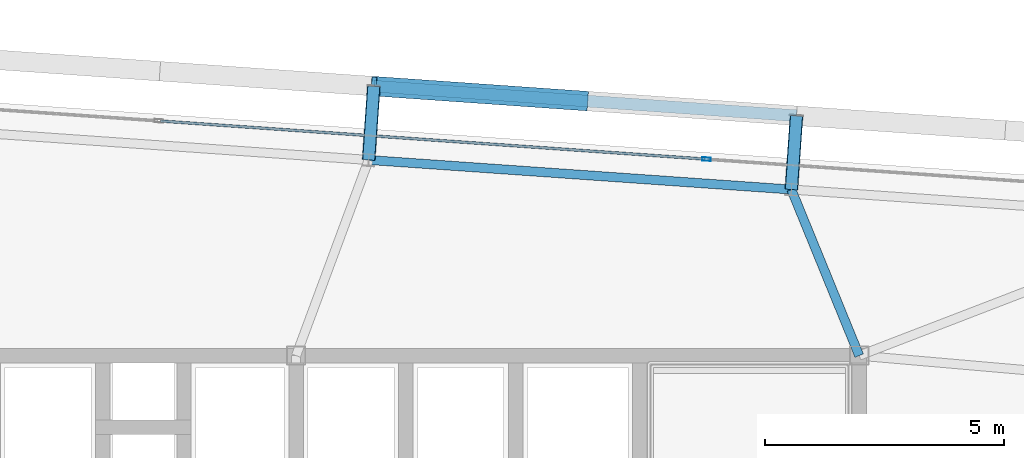
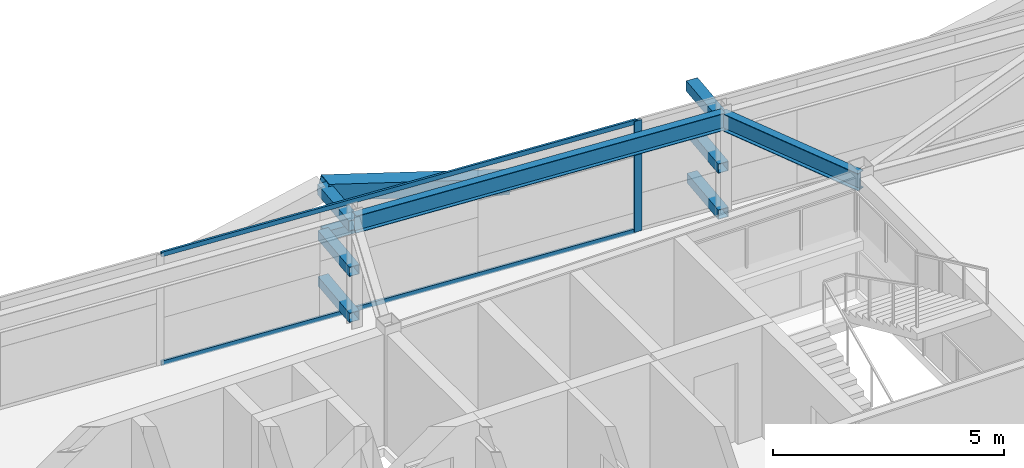
# One storey, part 23 of 39: 11 members, 2 beams, 1 element without a shape of its own.
"""IFC4 building model written with IfcOpenShell, lengths in metres."""

from ifc_helpers import new_model, si_unit, direction, frame, origin, origin_2d, place, context, subcontext, project, spatial, hollow_rectangle, i_section, extrude, source, transform, mapped, material, layer, layer_set, material_profile, profile_set, type_object, element, aggregate, save


model = new_model("IFC4")

# Units and contexts
model_context = context("Model", 3, precision=1e-05, world=origin(), true_north=direction((0.0, 1.0)))
body_context = subcontext(model_context, "Body", "Model", "MODEL_VIEW")
ifc_project = project(units=[si_unit("LENGTHUNIT", "METRE"), si_unit("AREAUNIT", "SQUARE_METRE"), si_unit("VOLUMEUNIT", "CUBIC_METRE"), si_unit("PLANEANGLEUNIT", "RADIAN"), si_unit("MASSUNIT", "GRAM", prefix="KILO")], contexts=[model_context])

# Site, building, storey
site_placement = place(None, origin())
site = spatial("IfcSite", under=ifc_project, at=site_placement, CompositionType="ELEMENT")
building_placement = place(site_placement, origin())
building = spatial("IfcBuilding", under=site, at=building_placement, Name="Taldren Reach Tower", CompositionType="ELEMENT")
storey_placement = place(building_placement, frame((0.0, 0.0, 158.199951171875)))
storey = spatial("IfcBuildingStorey", under=building, at=storey_placement, Name="L48", CompositionType="ELEMENT", Elevation=158.199951171875)

# Members
ifc_material_1 = material(Name="Steel Gr 450 (C450L0)", Category="steel")
ifc_material_profile_1 = material_profile(ifc_material_1, hollow_rectangle(XDim=0.27490234375, YDim=0.27490234375, WallThickness=0.00927734375, at=origin_2d()), Name="275x275x9.3SHS")
ifc_profile_set_1 = profile_set([ifc_material_profile_1], Name="Steel Gr 450 (C450L0)")
member_type_1 = type_object("IfcMemberType", Name="MB-TIE273", PredefinedType="STRUT", material=ifc_profile_set_1)
shared_shape_1 = source(origin(), body_context, "Body", "SweptSolid", [
    extrude(hollow_rectangle(XDim=0.27490234375, YDim=0.27490234375, WallThickness=0.00927734375, at=origin_2d()), origin(), (0.0, 0.0, 1.0), 1.550048828125),
])
for number, where, z_axis, x_axis, name in (
    (1, (40.7197265625, 36.100341796875, 2.650146484375), (0.06976957191, 0.99756313426, 0.0), (-0.99756313426, 0.06976957191, 0.0), "Exoskeleton diaphragm tie strut B3-N4 L48"),
    (2, (49.578125, 35.48095703125, 2.650146484375), (0.06976957191, 0.99756313426, 0.0), (-0.99756313426, 0.06976957191, 0.0), "Exoskeleton diaphragm tie strut B3-N5 L48"),
):
    element("IfcMember", number, at=place(storey_placement, frame(where, z_axis=z_axis, x_axis=x_axis)), inside=storey, type_object=member_type_1, Name=name, PredefinedType="STRUT", context=body_context, shape_type="MappedRepresentation", body=[
        mapped(shared_shape_1, transform((0.0, 0.0, 0.0), scale=1.0)),
    ])
ifc_material_2 = material(Name="Steel Gr 350 (C350L0)", Category="steel")
ifc_material_profile_2 = material_profile(ifc_material_2, hollow_rectangle(XDim=0.25, YDim=0.25, WallThickness=0.010009765625, at=origin_2d()), Name="250x250x10.0SHS")
ifc_profile_set_2 = profile_set([ifc_material_profile_2], Name="Steel Gr 350 (C350L0)")
member_type_2 = type_object("IfcMemberType", Name="MB-POST250", PredefinedType="POST", material=ifc_profile_set_2)
shared_shape_2 = source(origin(), body_context, "Body", "SweptSolid", [
    extrude(hollow_rectangle(XDim=0.25, YDim=0.25, WallThickness=0.010009765625, at=origin_2d()), origin(), (0.0, 0.0, 1.0), 1.550048828125),
])
for number, where, z_axis, x_axis, name in (
    (3, (40.7197265625, 36.100341796875, 0.219970703125), (0.06976957191, 0.99756313426, 0.0), (-0.99756313426, 0.06976957191, 0.0), "Exoskeleton base diaphragm tie strut B3-N4 L48"),
    (4, (49.578125, 35.48095703125, 0.219970703125), (0.06976957191, 0.99756313426, 0.0), (-0.99756313426, 0.06976957191, 0.0), "Exoskeleton base diaphragm tie strut B3-N5 L48"),
    (5, (40.7197265625, 36.100341796875, 1.43505859375), (0.06976957191, 0.99756313426, 0.0), (-0.99756313426, 0.06976957191, 0.0), "Exoskeleton mid-tier diaphragm tie B3-N4 L48"),
    (6, (49.578125, 35.48095703125, 1.43505859375), (0.06976957191, 0.99756313426, 0.0), (-0.99756313426, 0.06976957191, 0.0), "Exoskeleton mid-tier diaphragm tie B3-N5 L48"),
):
    element("IfcMember", number, at=place(storey_placement, frame(where, z_axis=z_axis, x_axis=x_axis)), inside=storey, type_object=member_type_2, Name=name, PredefinedType="POST", context=body_context, shape_type="MappedRepresentation", body=[
        mapped(shared_shape_2, transform((0.0, 0.0, 0.0), scale=1.0)),
    ])

# Beams
ifc_material_3 = material(Name="Steel Gr 350 (350PLUS)", Category="steel")
ifc_material_profile_3 = material_profile(ifc_material_3, i_section(OverallWidth=0.18994140625, OverallDepth=0.4541015625, WebThickness=0.008544921875, FlangeThickness=0.0126953125, at=origin_2d()), Name="460UB67.1")
ifc_profile_set_3 = profile_set([ifc_material_profile_3], Name="Steel Gr 350 (350PLUS)")
beam_type_1 = type_object("IfcBeamType", Name="SP-UB460B", PredefinedType="SPANDREL", material=ifc_profile_set_3)
shared_shape_3 = source(origin(), body_context, "Body", "SweptSolid", [
    extrude(i_section(OverallWidth=0.18994140625, OverallDepth=0.4541015625, WebThickness=0.008544921875, FlangeThickness=0.0126953125, at=origin_2d()), origin(), (0.0, 0.0, 1.0), 8.880126953125),
])
beam_1_placement = place(storey_placement, frame((49.578125, 35.48095703125, 2.703125), z_axis=(-0.997564479639, 0.069750333063, 0.0), x_axis=(-0.069750333063, -0.997564479639, 0.0)))
element("IfcBeam", 7, at=beam_1_placement, inside=storey, type_object=beam_type_1, Name="Perimeter spandrel B3 N5-N4 L48", PredefinedType="SPANDREL", context=body_context, shape_type="MappedRepresentation", body=[
    mapped(shared_shape_3, transform((0.0, 0.0, 0.0), scale=1.0)),
])
ifc_material_profile_4 = material_profile(ifc_material_3, i_section(OverallWidth=0.19091796875, OverallDepth=0.4599609375, WebThickness=0.010009765625, FlangeThickness=0.01611328125, at=origin_2d()), Name="460UB82.1")
ifc_profile_set_4 = profile_set([ifc_material_profile_4], Name="Steel Gr 350 (350PLUS)")
beam_type_2 = type_object("IfcBeamType", Name="BM-UB460A", PredefinedType="BEAM", material=ifc_profile_set_4)
shared_shape_4 = source(origin(), body_context, "Body", "SweptSolid", [
    extrude(i_section(OverallWidth=0.19091796875, OverallDepth=0.4599609375, WebThickness=0.010009765625, FlangeThickness=0.01611328125, at=origin_2d()), origin(), (0.0, 0.0, 1.0), 3.76025390625),
])
beam_2_placement = place(storey_placement, frame((51.0, 32.0, 2.699951171875), z_axis=(-0.37814232545, 0.925747471886, 0.0), x_axis=(-0.925747471886, -0.37814232545, 0.0)))
element("IfcBeam", 8, at=beam_2_placement, inside=storey, type_object=beam_type_2, Name="Primary floor girder B3-N5 L48", PredefinedType="BEAM", context=body_context, shape_type="MappedRepresentation", body=[
    mapped(shared_shape_4, transform((0.0, 0.0, 0.0), scale=1.0)),
])

# Members
shared_shape_5 = source(origin(), body_context, "Body", "SweptSolid", [
    extrude(hollow_rectangle(XDim=0.25, YDim=0.25, WallThickness=0.010009765625, at=origin_2d()), origin(), (0.0, 0.0, 1.0), 8.880126953125),
])
member_1_placement = place(storey_placement, frame((40.827880859375, 37.646728515625, 1.43505859375), z_axis=(0.997564479639, -0.069750333063, 0.0), x_axis=(0.069750333063, 0.997564479639, 0.0)))
element("IfcMember", 9, at=member_1_placement, inside=storey, type_object=member_type_2, Name="Exoskeleton mid-height ring chord B3-N4 L48", PredefinedType="POST", context=body_context, shape_type="MappedRepresentation", body=[
    mapped(shared_shape_5, transform((0.0, 0.0, 0.0), scale=1.0)),
])
ifc_material_profile_5 = material_profile(ifc_material_1, hollow_rectangle(XDim=0.409912109375, YDim=0.409912109375, WallThickness=0.01611328125, at=origin_2d()), Name="410x410x16.0SHS")
ifc_profile_set_5 = profile_set([ifc_material_profile_5], Name="Steel Gr 450 (C450L0)")
member_type_3 = type_object("IfcMemberType", Name="MB-EXO406", PredefinedType="BRACE", material=ifc_profile_set_5)
shared_shape_6 = source(origin(), body_context, "Body", "SweptSolid", [
    extrude(hollow_rectangle(XDim=0.409912109375, YDim=0.409912109375, WallThickness=0.01611328125, at=origin_2d()), origin(), (0.0, 0.0, 1.0), 4.603271484375),
])
member_2_placement = place(storey_placement, frame((45.257080078125, 37.3369140625, 1.43505859375), z_axis=(-0.962182351074, 0.067302910567, 0.263961060594), x_axis=(-0.06977769246, -0.997562566276, 0.0)))
element("IfcMember", 10, at=member_2_placement, inside=storey, type_object=member_type_3, Name="Exoskeleton Diagrid Brace B3-N4 L48", PredefinedType="BRACE", context=body_context, shape_type="MappedRepresentation", body=[
    mapped(shared_shape_6, transform((0.0, 0.0, 0.0), scale=1.0)),
])

# Curtain wall, members
ifc_material_4 = material(Name="Aluminium and Low-E Glass Unitised System", Category="aluminium")
ifc_layer = layer(ifc_material_4, 0.159912109375)
ifc_layer_set = layer_set([ifc_layer], Name="Aluminium and Low-E Glass Unitised System")
curtain_wall_type = type_object("IfcCurtainWallType", Name="CW-SYS-4", PredefinedType="NOTDEFINED", material=ifc_layer_set)
curtain_wall_placement = place(storey_placement, origin())
curtain_wall = element("IfcCurtainWall", 11, at=curtain_wall_placement, inside=storey, type_object=curtain_wall_type, Name="Unitised curtain wall CW-L48-N", PredefinedType="NOTDEFINED")
ifc_material_5 = material(Name="Anodised Aluminium 6063-T6", Category="aluminium")
ifc_material_profile_6 = material_profile(ifc_material_5, hollow_rectangle(XDim=0.054931640625, YDim=0.1201171875, WallThickness=0.0029296875, at=origin_2d()), Name="ALU-120x55x3RHS")
ifc_profile_set_6 = profile_set([ifc_material_profile_6], Name="Anodised Aluminium 6063-T6")
member_type_4 = type_object("IfcMemberType", Name="CW-TRN-135", PredefinedType="USERDEFINED", material=ifc_profile_set_6)
shared_shape_7 = source(origin(), body_context, "Body", "SweptSolid", [
    extrude(hollow_rectangle(XDim=0.054931640625, YDim=0.1201171875, WallThickness=0.0029296875, at=origin_2d()), origin(), (0.0, 0.0, 1.0), 11.429931640625),
])
member_3_placement = place(storey_placement, frame((47.76318359375, 36.119140625, 0.027587890625), z_axis=(-0.997563740938, 0.069760897114, 0.0), x_axis=(-0.069760897114, -0.997563740938, 0.0)))
member_3 = element("IfcMember", 12, at=member_3_placement, type_object=member_type_4, Name="CW-4 transom 2.1", ObjectType="TRANSOM", PredefinedType="USERDEFINED", context=body_context, shape_type="MappedRepresentation", body=[
    mapped(shared_shape_7, transform((0.0, 0.0, 0.0), scale=1.0)),
])
member_4_placement = place(storey_placement, frame((47.76318359375, 36.119140625, 2.902587890625), z_axis=(-0.997563740938, 0.069760897114, 0.0), x_axis=(-0.069760897114, -0.997563740938, 0.0)))
member_4 = element("IfcMember", 13, at=member_4_placement, type_object=member_type_4, Name="CW-4 transom 2.2", ObjectType="TRANSOM", PredefinedType="USERDEFINED", context=body_context, shape_type="MappedRepresentation", body=[
    mapped(shared_shape_7, transform((0.0, 0.0, 0.0), scale=1.0)),
])
ifc_material_profile_7 = material_profile(ifc_material_5, hollow_rectangle(XDim=0.070068359375, YDim=0.179931640625, WallThickness=0.00390625, at=origin_2d()), Name="ALU-180x70x4RHS")
ifc_profile_set_7 = profile_set([ifc_material_profile_7], Name="Anodised Aluminium 6063-T6")
member_type_5 = type_object("IfcMemberType", Name="CW-MUL-180", PredefinedType="MULLION", material=ifc_profile_set_7)
shared_shape_8 = source(origin(), body_context, "Body", "SweptSolid", [
    extrude(hollow_rectangle(XDim=0.070068359375, YDim=0.179931640625, WallThickness=0.00390625, at=origin_2d()), origin(), (0.0, 0.0, 1.0), 2.929931640625),
])
member_5_placement = place(storey_placement, frame((47.798095703125, 36.11669921875, 0.0), z_axis=(0.0, 0.0, 1.0), x_axis=(-0.06975651593, -0.99756404731, 0.0)))
member_5 = element("IfcMember", 14, at=member_5_placement, type_object=member_type_5, Name="CW-4 mullion 2", PredefinedType="MULLION", context=body_context, shape_type="MappedRepresentation", body=[
    mapped(shared_shape_8, transform((0.0, 0.0, 0.0), scale=1.0)),
])
aggregate(curtain_wall, [member_5, member_3, member_4])

save(model, "model.ifc")
